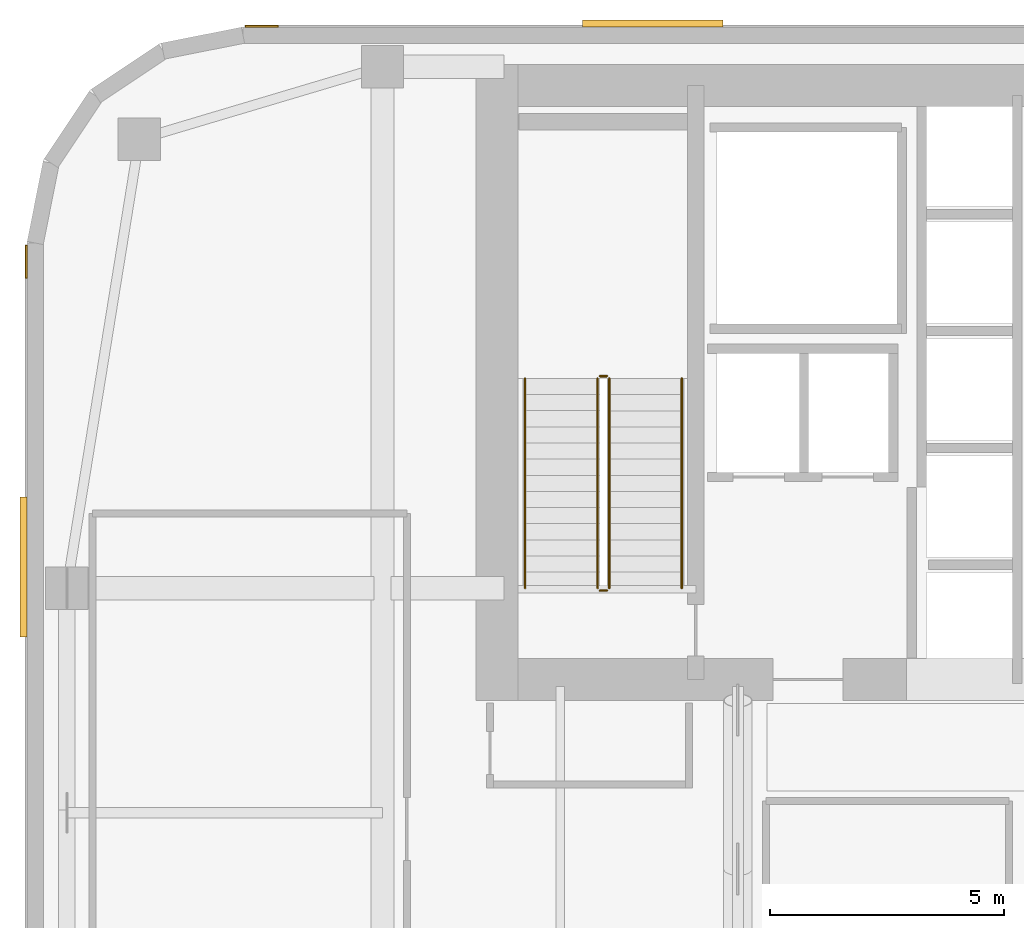
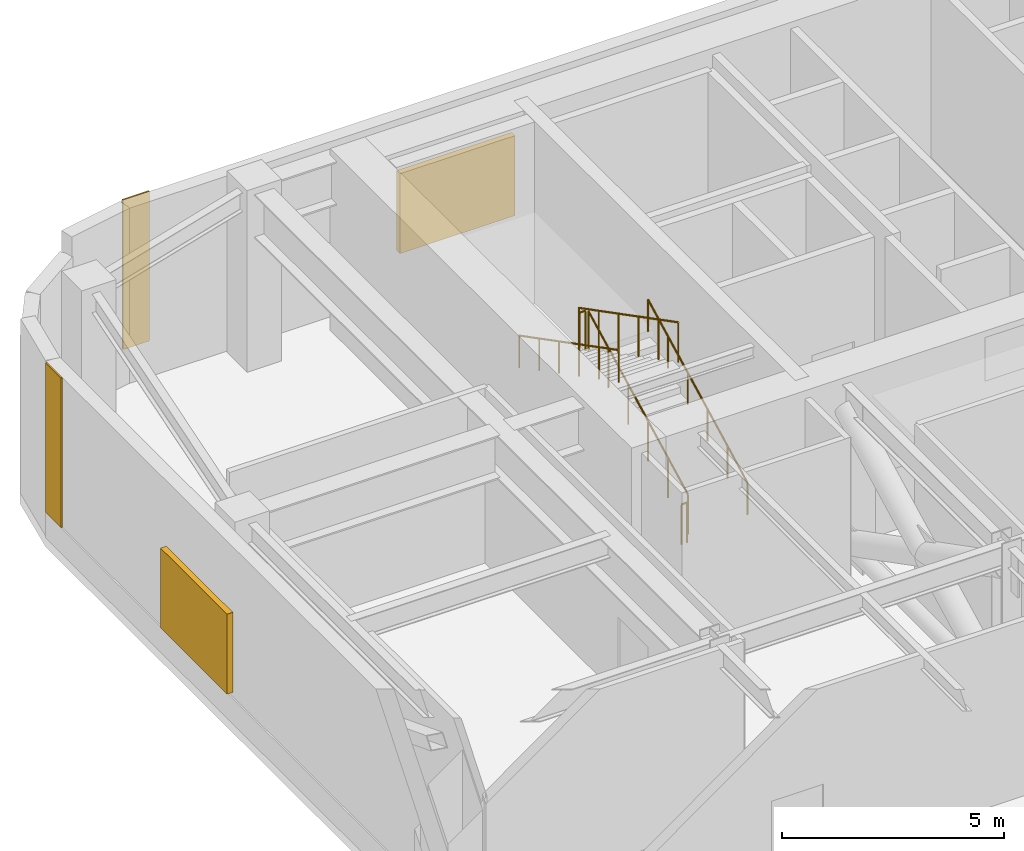
# One storey, part 9 of 11: 6 railings, 2 coverings, 2 shading devices.
"""IFC4 building model written with IfcOpenShell, lengths in metres."""

from ifc_helpers import new_model, si_unit, direction, frame, origin, origin_2d, place, context, subcontext, project, spatial, polyline, circle, outline, extrude, material, layer, layer_set, type_object, element, save


model = new_model("IFC4")

# Units and contexts
model_context = context("Model", 3, precision=1e-05, world=origin(), true_north=direction((0.0, 1.0)))
body_context = subcontext(model_context, "Body", "Model", "MODEL_VIEW")
ifc_project = project(units=[si_unit("LENGTHUNIT", "METRE"), si_unit("AREAUNIT", "SQUARE_METRE"), si_unit("VOLUMEUNIT", "CUBIC_METRE"), si_unit("PLANEANGLEUNIT", "RADIAN"), si_unit("MASSUNIT", "GRAM", prefix="KILO")], contexts=[model_context])

# Site, building, storey
site_placement = place(None, origin())
site = spatial("IfcSite", under=ifc_project, at=site_placement, CompositionType="ELEMENT")
building_placement = place(site_placement, origin())
building = spatial("IfcBuilding", under=site, at=building_placement, Name="Tolvann Quenvar Hotel", CompositionType="ELEMENT")
storey_placement = place(building_placement, frame((0.0, 0.0, 95.89990234375)))
storey = spatial("IfcBuildingStorey", under=building, at=storey_placement, Name="L24", CompositionType="ELEMENT", Elevation=95.89990234375)

# Coverings
ifc_material_1 = material(Name="Kiln-fired red architectural face brick cladding", Category="masonry")
ifc_layer = layer(ifc_material_1, 0.0400390625)
ifc_layer_set = layer_set([ifc_layer], Name="Kiln-fired red architectural face brick cladding")
covering_type = type_object("IfcCoveringType", Name="COV_CLAD_BRICK_40", PredefinedType="CLADDING", material=ifc_layer_set)
covering_1_placement = place(storey_placement, frame((0.0, 0.0, 0.7001953125)))
element("IfcCovering", 1, at=covering_1_placement, inside=storey, type_object=covering_type, Name="Brick Pier Cladding (L24-E18-P2)", PredefinedType="CLADDING", context=body_context, shape_type="SweptSolid", body=[
    extrude(outline(polyline([(5.3671875, 46.0), (4.667236328125, 46.0), (4.667236328125, 46.0400390625), (5.3671875, 46.0400390625), (5.3671875, 46.0)])), origin(), (0.0, 0.0, 1.0), 4.119873046875),
])
covering_2_placement = place(storey_placement, frame((0.0, 0.0, 0.7001953125)))
element("IfcCovering", 2, at=covering_2_placement, inside=storey, type_object=covering_type, Name="Brick Pier Cladding (L24-E23-P1)", PredefinedType="CLADDING", context=body_context, shape_type="SweptSolid", body=[
    extrude(outline(polyline([(0.0, 41.332763671875), (0.0, 40.6328125), (-0.0400390625, 40.6328125), (-0.0400390625, 41.332763671875), (0.0, 41.332763671875)])), origin(), (0.0, 0.0, 1.0), 4.119873046875),
])

# Railings
ifc_material_2 = material(Name="Brushed 316 stainless steel balustrade and handrail", Category="steel")
railing_type_1 = type_object("IfcRailingType", Name="GUARDRAIL", PredefinedType="GUARDRAIL", material=ifc_material_2)
railing_1_placement = place(storey_placement, frame((12.449951171875, 34.0, 0.1787109375)))
element("IfcRailing", 3, at=railing_1_placement, inside=storey, type_object=railing_type_1, Name="L24 ST-C1 stair guard 1", PredefinedType="GUARDRAIL", context=body_context, shape_type="SweptSolid", body=[
    extrude(circle(Radius=0.02392578125, at=origin_2d()), frame((0.0, 0.0, 1.09619140625), z_axis=(0.0, 0.888104015157, 0.459642533129), x_axis=(-1.0, 0.0, 0.0)), (0.0, 0.0, 1.0), 5.05029296875),
    extrude(circle(Radius=0.02099609375, at=origin_2d()), origin(), (0.0, 0.0, 1.0), 1.072021484375),
    extrude(circle(Radius=0.02099609375, at=origin_2d()), frame((0.0, 0.89697265625, 0.46435546875)), (0.0, 0.0, 1.0), 1.072021484375),
    extrude(circle(Radius=0.02099609375, at=origin_2d()), frame((0.0, 1.7939453125, 0.928466796875)), (0.0, 0.0, 1.0), 1.072021484375),
    extrude(circle(Radius=0.02099609375, at=origin_2d()), frame((0.0, 2.691162109375, 1.392822265625)), (0.0, 0.0, 1.0), 1.072021484375),
    extrude(circle(Radius=0.02099609375, at=origin_2d()), frame((0.0, 3.588134765625, 1.85693359375)), (0.0, 0.0, 1.0), 1.072021484375),
    extrude(circle(Radius=0.02099609375, at=origin_2d()), frame((0.0, 4.485107421875, 2.3212890625)), (0.0, 0.0, 1.0), 1.072021484375),
])
railing_2_placement = place(storey_placement, frame((12.39990234375, 38.534912109375, 2.5)))
element("IfcRailing", 4, at=railing_2_placement, inside=storey, type_object=railing_type_1, Name="L24 ST-C1 stair guard 2", PredefinedType="GUARDRAIL", context=body_context, shape_type="SweptSolid", body=[
    extrude(circle(Radius=0.02392578125, at=origin_2d()), frame((0.0, 0.0, 1.09619140625), z_axis=(-1.0, 0.0, 0.0), x_axis=(0.0, -1.0, 0.0)), (0.0, 0.0, 1.0), 0.14990234375),
    extrude(circle(Radius=0.02099609375, at=origin_2d()), origin(), (0.0, 0.0, 1.0), 1.072021484375),
    extrude(circle(Radius=0.02099609375, at=origin_2d()), frame((-0.14990234375, 0.0, 0.0)), (0.0, 0.0, 1.0), 1.072021484375),
])
railing_3_placement = place(storey_placement, frame((12.199951171875, 38.485107421875, 2.6787109375)))
element("IfcRailing", 5, at=railing_3_placement, inside=storey, type_object=railing_type_1, Name="L24 ST-C1 stair guard 3", PredefinedType="GUARDRAIL", context=body_context, shape_type="SweptSolid", body=[
    extrude(circle(Radius=0.02392578125, at=origin_2d()), frame((0.0, 0.0, 1.09619140625), z_axis=(0.0, -0.888104015157, 0.459642533129), x_axis=(1.0, 0.0, 0.0)), (0.0, 0.0, 1.0), 5.05029296875),
    extrude(circle(Radius=0.02099609375, at=origin_2d()), origin(), (0.0, 0.0, 1.0), 1.072021484375),
    extrude(circle(Radius=0.02099609375, at=origin_2d()), frame((0.0, -0.89697265625, 0.46435546875)), (0.0, 0.0, 1.0), 1.072021484375),
    extrude(circle(Radius=0.02099609375, at=origin_2d()), frame((0.0, -1.7939453125, 0.928466796875)), (0.0, 0.0, 1.0), 1.072021484375),
    extrude(circle(Radius=0.02099609375, at=origin_2d()), frame((0.0, -2.691162109375, 1.392822265625)), (0.0, 0.0, 1.0), 1.072021484375),
    extrude(circle(Radius=0.02099609375, at=origin_2d()), frame((0.0, -3.588134765625, 1.85693359375)), (0.0, 0.0, 1.0), 1.072021484375),
    extrude(circle(Radius=0.02099609375, at=origin_2d()), frame((0.0, -4.485107421875, 2.3212890625)), (0.0, 0.0, 1.0), 1.072021484375),
])
railing_4_placement = place(storey_placement, frame((12.39990234375, 33.949951171875, 0.0)))
element("IfcRailing", 6, at=railing_4_placement, inside=storey, type_object=railing_type_1, Name="L24 ST-C1 stair guard 4", PredefinedType="GUARDRAIL", context=body_context, shape_type="SweptSolid", body=[
    extrude(circle(Radius=0.02392578125, at=origin_2d()), frame((0.0, 0.0, 1.09619140625), z_axis=(-1.0, 0.0, 0.0), x_axis=(0.0, -1.0, 0.0)), (0.0, 0.0, 1.0), 0.14990234375),
    extrude(circle(Radius=0.02099609375, at=origin_2d()), origin(), (0.0, 0.0, 1.0), 1.072021484375),
    extrude(circle(Radius=0.02099609375, at=origin_2d()), frame((-0.14990234375, 0.0, 0.0)), (0.0, 0.0, 1.0), 1.072021484375),
])
railing_type_2 = type_object("IfcRailingType", Name="HANDRAIL", PredefinedType="HANDRAIL", material=ifc_material_2)
railing_5_placement = place(storey_placement, frame((14.0, 34.0, 0.1787109375)))
element("IfcRailing", 7, at=railing_5_placement, inside=storey, type_object=railing_type_2, Name="L24 ST-C1 stair handrail 1", PredefinedType="HANDRAIL", context=body_context, shape_type="SweptSolid", body=[
    extrude(circle(Radius=0.02392578125, at=origin_2d()), frame((0.0, 0.0, 0.8759765625), z_axis=(0.0, 0.888104015157, 0.459642533129), x_axis=(-1.0, 0.0, 0.0)), (0.0, 0.0, 1.0), 5.05029296875),
    extrude(circle(Radius=0.02099609375, at=origin_2d()), origin(), (0.0, 0.0, 1.0), 0.851806640625),
    extrude(circle(Radius=0.02099609375, at=origin_2d()), frame((0.0, 0.89697265625, 0.46435546875)), (0.0, 0.0, 1.0), 0.851806640625),
    extrude(circle(Radius=0.02099609375, at=origin_2d()), frame((0.0, 1.7939453125, 0.928466796875)), (0.0, 0.0, 1.0), 0.851806640625),
    extrude(circle(Radius=0.02099609375, at=origin_2d()), frame((0.0, 2.691162109375, 1.392822265625)), (0.0, 0.0, 1.0), 0.851806640625),
    extrude(circle(Radius=0.02099609375, at=origin_2d()), frame((0.0, 3.588134765625, 1.85693359375)), (0.0, 0.0, 1.0), 0.851806640625),
    extrude(circle(Radius=0.02099609375, at=origin_2d()), frame((0.0, 4.485107421875, 2.3212890625)), (0.0, 0.0, 1.0), 0.851806640625),
])
railing_6_placement = place(storey_placement, frame((10.64990234375, 38.485107421875, 2.6787109375)))
element("IfcRailing", 8, at=railing_6_placement, inside=storey, type_object=railing_type_2, Name="L24 ST-C1 stair handrail 2", PredefinedType="HANDRAIL", context=body_context, shape_type="SweptSolid", body=[
    extrude(circle(Radius=0.02392578125, at=origin_2d()), frame((0.0, 0.0, 0.8759765625), z_axis=(0.0, -0.888104015157, 0.459642533129), x_axis=(1.0, 0.0, 0.0)), (0.0, 0.0, 1.0), 5.05029296875),
    extrude(circle(Radius=0.02099609375, at=origin_2d()), origin(), (0.0, 0.0, 1.0), 0.851806640625),
    extrude(circle(Radius=0.02099609375, at=origin_2d()), frame((0.0, -0.89697265625, 0.46435546875)), (0.0, 0.0, 1.0), 0.851806640625),
    extrude(circle(Radius=0.02099609375, at=origin_2d()), frame((0.0, -1.7939453125, 0.928466796875)), (0.0, 0.0, 1.0), 0.851806640625),
    extrude(circle(Radius=0.02099609375, at=origin_2d()), frame((0.0, -2.691162109375, 1.392822265625)), (0.0, 0.0, 1.0), 0.851806640625),
    extrude(circle(Radius=0.02099609375, at=origin_2d()), frame((0.0, -3.588134765625, 1.85693359375)), (0.0, 0.0, 1.0), 0.851806640625),
    extrude(circle(Radius=0.02099609375, at=origin_2d()), frame((0.0, -4.485107421875, 2.3212890625)), (0.0, 0.0, 1.0), 0.851806640625),
])

# Shading devices
ifc_material_3 = material(Name="Extruded bronze-anodised aluminium acoustic weather louvre", Category="aluminium")
shading_device_type = type_object("IfcShadingDeviceType", Name="SHD_LOUVRE_AL", PredefinedType="JALOUSIE", material=ifc_material_3)
shading_device_1_placement = place(storey_placement, frame((0.0, 0.0, 0.820068359375)))
element("IfcShadingDevice", 9, at=shading_device_1_placement, inside=storey, type_object=shading_device_type, Name="Acoustic Plant Weather Louvre (L24-E18-3)", PredefinedType="JALOUSIE", context=body_context, shape_type="SweptSolid", body=[
    extrude(outline(polyline([(14.878173828125, 46.0), (11.878173828125, 46.0), (11.878173828125, 46.14990234375), (14.878173828125, 46.14990234375), (14.878173828125, 46.0)])), origin(), (0.0, 0.0, 1.0), 2.199951171875),
])
shading_device_2_placement = place(storey_placement, frame((0.0, 0.0, 0.820068359375)))
element("IfcShadingDevice", 10, at=shading_device_2_placement, inside=storey, type_object=shading_device_type, Name="Acoustic Plant Weather Louvre (L24-E23-1)", PredefinedType="JALOUSIE", context=body_context, shape_type="SweptSolid", body=[
    extrude(outline(polyline([(0.0, 35.955078125), (0.0, 32.955078125), (-0.14990234375, 32.955078125), (-0.14990234375, 35.955078125), (0.0, 35.955078125)])), origin(), (0.0, 0.0, 1.0), 2.199951171875),
])

save(model, "model.ifc")
